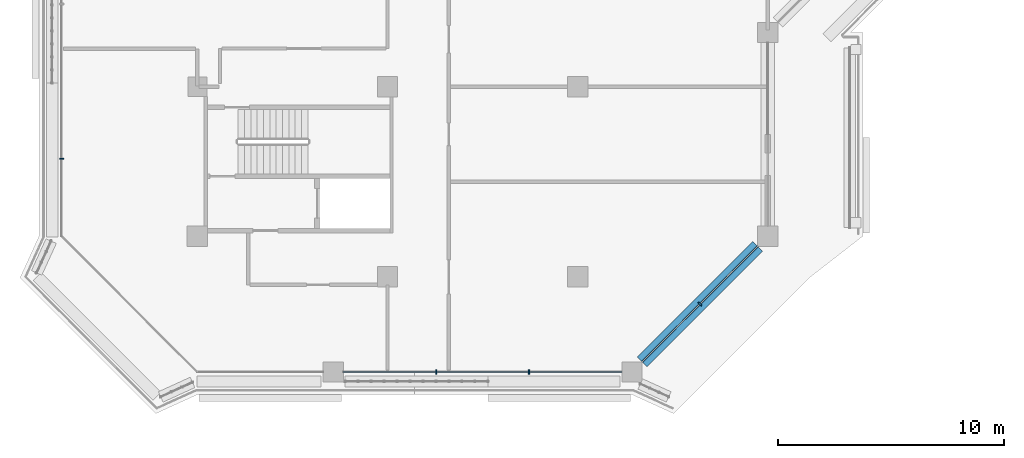
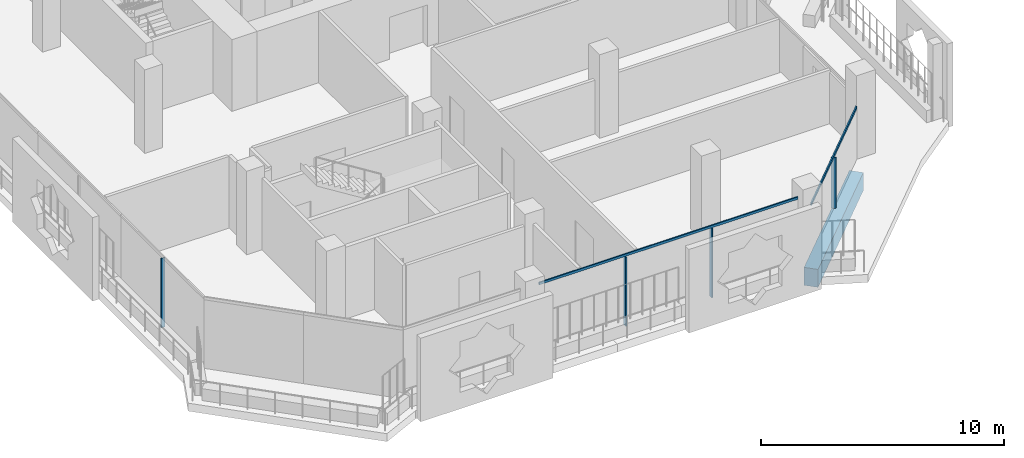
# One storey, part 2 of 20: 6 members, 1 beam, 3 elements without a shape of their own.
"""IFC4 building model written with IfcOpenShell, lengths in metres."""

import ifcopenshell
import ifcopenshell.guid

model = None  # the IFC model being written
_history = None  # IfcOwnerHistory: only IFC2X3 demands one
_inside = {}  # id of a spatial element -> (the spatial element, [elements in it])
_under = {}  # id of a project, library or spatial element -> (it, [spatial elements below it])
_declared = {}  # id of a project -> (the project, [libraries it declares])
_typed = {}  # id of a type object -> (the type object, [elements of that type])
_made_of = {}  # id of a material, layer set ... -> (it, [elements and type objects made of it])


def new_model(schema):
    """Start an empty IFC model of exactly this schema.

    Asked for "IFC4X3", IfcOpenShell would pick the latest addendum, in which some entities
    have other attributes; the version numbers below select the first issue.
    IFC2X3 requires an IfcOwnerHistory on every rooted entity: one is made here for all.
    """
    global model, _history
    if schema == "IFC4X3":
        model = ifcopenshell.file(schema_version=(4, 3, 0, 0))
    else:
        model = ifcopenshell.file(schema=schema)
    _inside.clear()
    _under.clear()
    _declared.clear()
    _typed.clear()
    _made_of.clear()
    _history = None
    if model.schema == "IFC2X3":
        org = make("IfcOrganization", Name="unknown")
        user = make(
            "IfcPersonAndOrganization",
            ThePerson=make("IfcPerson", FamilyName="unknown"),
            TheOrganization=org,
        )
        app = make(
            "IfcApplication",
            ApplicationDeveloper=org,
            Version="unknown",
            ApplicationFullName="unknown",
            ApplicationIdentifier="unknown",
        )
        _history = make(
            "IfcOwnerHistory",
            OwningUser=user,
            OwningApplication=app,
            ChangeAction="ADDED",
            CreationDate=0,
        )
    return model


def make(cls, **values):
    """One entity of the class cls with the attributes given. An attribute that is None is left unset."""
    return model.create_entity(
        cls, **{name: value for name, value in values.items() if value is not None}
    )


def rooted(cls, **values):
    """An entity with a GlobalId (a new one), such as an element, a storey or a relation."""
    return make(cls, GlobalId=ifcopenshell.guid.new(), OwnerHistory=_history, **values)


def si_unit(unit_type, name, prefix=None):
    """IfcSIUnit, for example si_unit("LENGTHUNIT", "METRE", prefix="MILLI")."""
    return make("IfcSIUnit", UnitType=unit_type, Prefix=prefix, Name=name)


def assignment(units):
    """IfcUnitAssignment: the units of a project."""
    return None if units is None else make("IfcUnitAssignment", Units=units)


def point(xyz):
    """IfcCartesianPoint."""
    return None if xyz is None else make("IfcCartesianPoint", Coordinates=xyz)


def direction(xyz):
    """IfcDirection."""
    return None if xyz is None else make("IfcDirection", DirectionRatios=xyz)


def frame(location, z_axis=None, x_axis=None):
    """IfcAxis2Placement3D, a coordinate frame: its origin and axes. An axis left out is left unset."""
    return make(
        "IfcAxis2Placement3D",
        Location=point(location),
        Axis=direction(z_axis),
        RefDirection=direction(x_axis),
    )


def frame_2d(location, x_axis=None):
    """IfcAxis2Placement2D, a coordinate frame in the plane: its origin and x axis."""
    return make(
        "IfcAxis2Placement2D", Location=point(location), RefDirection=direction(x_axis)
    )


def origin():
    """The frame at (0, 0, 0) with its axes left unset."""
    return frame((0.0, 0.0, 0.0))


def origin_2d():
    """The frame at (0, 0) in the plane with its x axis left unset."""
    return frame_2d((0.0, 0.0))


def place(relative_to, where):
    """IfcLocalPlacement: puts the frame where relative to a parent placement (None: the world)."""
    return make(
        "IfcLocalPlacement", PlacementRelTo=relative_to, RelativePlacement=where
    )


def context(
    kind, dimensions, precision=None, world=None, true_north=None, identifier=None
):
    """IfcGeometricRepresentationContext, for example the 3D "Model" context."""
    return make(
        "IfcGeometricRepresentationContext",
        ContextIdentifier=identifier,
        ContextType=kind,
        CoordinateSpaceDimension=dimensions,
        Precision=precision,
        WorldCoordinateSystem=world,
        TrueNorth=true_north,
    )


def subcontext(parent, identifier, kind, view, scale=None):
    """IfcGeometricRepresentationSubContext, for example "Body" below "Model"."""
    return make(
        "IfcGeometricRepresentationSubContext",
        ContextIdentifier=identifier,
        ContextType=kind,
        ParentContext=parent,
        TargetScale=scale,
        TargetView=view,
    )


def project(units=None, contexts=None):
    """IfcProject with its units and contexts."""
    return rooted(
        "IfcProject",
        Name="project",
        RepresentationContexts=contexts,
        UnitsInContext=assignment(units),
    )


def spatial(cls, under=None, at=None, **own):
    """A site, building, storey or space (cls), placed at a placement, below another one or the project."""
    s = rooted(cls, ObjectPlacement=at, **own)
    if under is not None:
        _under.setdefault(under.id(), (under, []))[1].append(s)
    return s


def profile(cls, at=None, kind="AREA", **sizes):
    """A parametric profile (cls). Its sizes go by their IFC names, for example OverallWidth=200.0."""
    return make(cls, ProfileType=kind, Position=at, **sizes)


def rectangle(**sizes):
    """IfcRectangleProfileDef."""
    return profile("IfcRectangleProfileDef", **sizes)


def extrude(swept, where, along, depth):
    """IfcExtrudedAreaSolid: the profile swept, set in the frame where, extruded along a direction by depth."""
    return make(
        "IfcExtrudedAreaSolid",
        SweptArea=swept,
        Position=where,
        ExtrudedDirection=direction(along),
        Depth=depth,
    )


def shape(context_of_items, identifier, shape_type, items):
    """IfcShapeRepresentation: the items that make up one representation, for example the "Body"."""
    return make(
        "IfcShapeRepresentation",
        ContextOfItems=context_of_items,
        RepresentationIdentifier=identifier,
        RepresentationType=shape_type,
        Items=items,
    )


def material(Name=None, Category=None):
    """IfcMaterial."""
    return make("IfcMaterial", Name=Name, Category=Category)


def layer(
    of_material, thickness, ventilated=None, Name=None, Category=None, Priority=None
):
    """IfcMaterialLayer: one layer of a wall or slab, of a material (None: an air gap)."""
    return make(
        "IfcMaterialLayer",
        Material=of_material,
        LayerThickness=thickness,
        IsVentilated=ventilated,
        Name=Name,
        Category=Category,
        Priority=Priority,
    )


def layer_set(layers, Name=None):
    """IfcMaterialLayerSet."""
    return make("IfcMaterialLayerSet", MaterialLayers=layers, LayerSetName=Name)


def material_profile(
    of_material, cross_section, Name=None, Category=None, Priority=None
):
    """IfcMaterialProfile: a cross section and its material."""
    return make(
        "IfcMaterialProfile",
        Name=Name,
        Material=of_material,
        Profile=cross_section,
        Priority=Priority,
        Category=Category,
    )


def profile_set(profiles, Name=None, composite=None):
    """IfcMaterialProfileSet."""
    return make(
        "IfcMaterialProfileSet",
        Name=Name,
        MaterialProfiles=profiles,
        CompositeProfile=composite,
    )


def made_of(thing, what):
    """Note that an element or type object is made of a material, layer set ...; save() writes the relation."""
    if what is not None:
        _made_of.setdefault(what.id(), (what, []))[1].append(thing)
    return thing


def type_object(cls, material=None, **own):
    """A type object (cls), such as IfcWallType, which elements share."""
    return made_of(rooted(cls, **own), material)


def element(
    cls,
    number,
    at=None,
    inside=None,
    cuts=None,
    type_object=None,
    material=None,
    context=None,
    identifier="Body",
    shape_type=None,
    held_by="IfcProductDefinitionShape",
    body=None,
    shapes=None,
    **own,
):
    """One element of the class cls, such as IfcWall. Its Tag is "e" and its number.

    at: its placement. inside: the storey or other place that contains it. cuts: it is an
    opening in that element (IfcRelVoidsElement). A single representation is given by context,
    identifier, shape_type and body (its items); several are given by shapes. held_by: the class
    of the entity that holds the representations. save() writes the other relations.
    """
    e = rooted(cls, Tag="e%d" % number, ObjectPlacement=at, **own)
    if body is not None:
        shapes = [shape(context, identifier, shape_type, body)]
    if shapes is not None:
        e.Representation = make(held_by, Representations=shapes)
    if inside is not None:
        _inside.setdefault(inside.id(), (inside, []))[1].append(e)
    if cuts is not None:
        rooted(
            "IfcRelVoidsElement", RelatingBuildingElement=cuts, RelatedOpeningElement=e
        )
    if type_object is not None:
        _typed.setdefault(type_object.id(), (type_object, []))[1].append(e)
    return made_of(e, material)


def aggregate(whole, parts):
    """IfcRelAggregates: a whole, such as a stair, and the parts it consists of."""
    return rooted("IfcRelAggregates", RelatingObject=whole, RelatedObjects=parts)


def save(model, path):
    """Write the relations noted so far, then the file.

    IfcRelAggregates (storeys below a building ...), IfcRelContainedInSpatialStructure (elements
    in a storey), IfcRelDefinesByType, IfcRelAssociatesMaterial and IfcRelDeclares: one each for
    every whole, place, type object, material and project.
    """
    for whole, parts in _under.values():
        aggregate(whole, parts)
    for where, things in _inside.values():
        rooted(
            "IfcRelContainedInSpatialStructure",
            RelatedElements=things,
            RelatingStructure=where,
        )
    for kind, things in _typed.values():
        rooted("IfcRelDefinesByType", RelatedObjects=things, RelatingType=kind)
    for what, things in _made_of.values():
        rooted("IfcRelAssociatesMaterial", RelatedObjects=things, RelatingMaterial=what)
    for by, libraries in _declared.values():
        rooted("IfcRelDeclares", RelatingContext=by, RelatedDefinitions=libraries)
    model.write(path)


model = new_model("IFC4")

# Units and contexts
model_context = context("Model", 3, precision=1e-05, world=origin(), true_north=direction((0.0, 1.0)))
body_context = subcontext(model_context, "Body", "Model", "MODEL_VIEW")
ifc_project = project(units=[si_unit("LENGTHUNIT", "METRE"), si_unit("AREAUNIT", "SQUARE_METRE"), si_unit("VOLUMEUNIT", "CUBIC_METRE"), si_unit("PLANEANGLEUNIT", "RADIAN"), si_unit("MASSUNIT", "GRAM", prefix="KILO")], contexts=[model_context])

# Site, building, storey
site_placement = place(None, origin())
site = spatial("IfcSite", under=ifc_project, at=site_placement, CompositionType="ELEMENT")
building_placement = place(site_placement, origin())
building = spatial("IfcBuilding", under=site, at=building_placement, Name="Kawkab Arch Medical Tower", CompositionType="ELEMENT")
storey_placement = place(building_placement, frame((0.0, 0.0, 239.0)))
storey = spatial("IfcBuildingStorey", under=building, at=storey_placement, Name="L55", CompositionType="ELEMENT", Elevation=239.0)

# Curtain wall, member
ifc_material_1 = material(Name="Bronze anodised aluminium curtain wall frame", Category="aluminium")
ifc_layer_1 = layer(ifc_material_1, 0.159912109375)
ifc_layer_set_1 = layer_set([ifc_layer_1], Name="Bronze anodised aluminium curtain wall frame")
curtain_wall_type_1 = type_object("IfcCurtainWallType", Name="CW1 ward curtain wall", PredefinedType="NOTDEFINED", material=ifc_layer_set_1)
placement = place(storey_placement, origin())
curtain_wall_1 = element("IfcCurtainWall", 1, at=placement, inside=storey, type_object=curtain_wall_type_1, Name="CW1 Ward curtain wall R01", PredefinedType="NOTDEFINED")
ifc_material_2 = material(Name="Bronze anodised aluminium curtain wall frame", Category="aluminium")
ifc_material_profile_1 = material_profile(ifc_material_2, rectangle(XDim=0.179931640625, YDim=0.06005859375, at=origin_2d()), Name="AL 60x180")
ifc_profile_set_1 = profile_set([ifc_material_profile_1], Name="Bronze anodised aluminium curtain wall frame")
member_type_1 = type_object("IfcMemberType", Name="CW1 mullion 60 x 180", PredefinedType="MULLION", material=ifc_profile_set_1)
member_1_placement = place(storey_placement, frame((-6.0, -36.780029296875, 0.0), z_axis=(0.0, 0.0, 1.0), x_axis=(1.0, 0.0, 0.0)))
member_1 = element("IfcMember", 2, at=member_1_placement, type_object=member_type_1, Name="CW1 mullion 5.1", PredefinedType="MULLION", context=body_context, shape_type="SweptSolid", body=[
    extrude(rectangle(XDim=0.179931640625, YDim=0.06005859375, at=origin_2d()), origin(), (0.0, 0.0, 1.0), 3.47998046875),
])
aggregate(curtain_wall_1, [member_1])

# Curtain wall, members
curtain_wall_2 = element("IfcCurtainWall", 3, at=placement, inside=storey, type_object=curtain_wall_type_1, Name="CW1 Ward curtain wall R03", PredefinedType="NOTDEFINED")
member_2_placement = place(storey_placement, frame((10.550048828125, -46.199951171875, 0.0), z_axis=(0.0, 0.0, 1.0), x_axis=(0.0, 1.0, 0.0)))
member_2 = element("IfcMember", 4, at=member_2_placement, type_object=member_type_1, Name="CW1 mullion 2.1", PredefinedType="MULLION", context=body_context, shape_type="SweptSolid", body=[
    extrude(rectangle(XDim=0.179931640625, YDim=0.06005859375, at=origin_2d()), origin(), (0.0, 0.0, 1.0), 3.47998046875),
])
member_3_placement = place(storey_placement, frame((14.64990234375, -46.199951171875, 0.0), z_axis=(0.0, 0.0, 1.0), x_axis=(0.0, 1.0, 0.0)))
member_3 = element("IfcMember", 5, at=member_3_placement, type_object=member_type_1, Name="CW1 mullion 2.2", PredefinedType="MULLION", context=body_context, shape_type="SweptSolid", body=[
    extrude(rectangle(XDim=0.179931640625, YDim=0.06005859375, at=origin_2d()), origin(), (0.0, 0.0, 1.0), 3.47998046875),
])
ifc_material_3 = material(Name="Bronze anodised aluminium curtain wall frame", Category="aluminium")
ifc_material_profile_2 = material_profile(ifc_material_3, rectangle(XDim=0.06005859375, YDim=0.1201171875, at=origin_2d()), Name="AL 60x120")
ifc_profile_set_2 = profile_set([ifc_material_profile_2], Name="Bronze anodised aluminium curtain wall frame")
member_type_2 = type_object("IfcMemberType", Name="CW1 transom 120 x 60", PredefinedType="USERDEFINED", material=ifc_profile_set_2)
member_4_placement = place(storey_placement, frame((6.449951171875, -46.199951171875, 3.5400390625), z_axis=(1.0, 0.0, 0.0), x_axis=(0.0, 1.0, 0.0)))
member_4 = element("IfcMember", 6, at=member_4_placement, type_object=member_type_2, Name="CW1 transom 2", ObjectType="TRANSOM", PredefinedType="USERDEFINED", context=body_context, shape_type="SweptSolid", body=[
    extrude(rectangle(XDim=0.06005859375, YDim=0.1201171875, at=origin_2d()), origin(), (0.0, 0.0, 1.0), 12.300048828125),
])
aggregate(curtain_wall_2, [member_4, member_2, member_3])

ifc_material_4 = material(Name="Bronze anodised aluminium curtain wall frame", Category="aluminium")
ifc_layer_2 = layer(ifc_material_4, 0.159912109375)
ifc_layer_set_2 = layer_set([ifc_layer_2], Name="Bronze anodised aluminium curtain wall frame")
curtain_wall_type_2 = type_object("IfcCurtainWallType", Name="CW2 chamfer curtain wall", PredefinedType="NOTDEFINED", material=ifc_layer_set_2)
curtain_wall_3 = element("IfcCurtainWall", 7, at=placement, inside=storey, type_object=curtain_wall_type_2, Name="CW2 Chamfer curtain wall R04", PredefinedType="NOTDEFINED")
ifc_material_5 = material(Name="Bronze anodised aluminium curtain wall frame", Category="aluminium")
ifc_material_profile_3 = material_profile(ifc_material_5, rectangle(XDim=0.199951171875, YDim=0.06005859375, at=origin_2d()), Name="AL 60x200")
ifc_profile_set_3 = profile_set([ifc_material_profile_3], Name="Bronze anodised aluminium curtain wall frame")
member_type_3 = type_object("IfcMemberType", Name="CW2 mullion 60 x 200", PredefinedType="MULLION", material=ifc_profile_set_3)
member_5_placement = place(storey_placement, frame((22.199951171875, -43.199951171875, 0.0), z_axis=(0.0, 0.0, 1.0), x_axis=(-0.707106781187, 0.707106781187, 0.0)))
member_5 = element("IfcMember", 8, at=member_5_placement, type_object=member_type_3, Name="CW2 mullion 1.1", PredefinedType="MULLION", context=body_context, shape_type="SweptSolid", body=[
    extrude(rectangle(XDim=0.199951171875, YDim=0.06005859375, at=origin_2d()), origin(), (0.0, 0.0, 1.0), 2.56005859375),
])
ifc_material_6 = material(Name="Bronze anodised aluminium curtain wall frame", Category="aluminium")
ifc_material_profile_4 = material_profile(ifc_material_6, rectangle(XDim=0.06005859375, YDim=0.139892578125, at=origin_2d()), Name="AL 60x140")
ifc_profile_set_4 = profile_set([ifc_material_profile_4], Name="Bronze anodised aluminium curtain wall frame")
member_type_4 = type_object("IfcMemberType", Name="CW2 transom 140 x 60", PredefinedType="USERDEFINED", material=ifc_profile_set_4)
member_6_placement = place(storey_placement, frame((19.64990234375, -45.75, 2.6298828125), z_axis=(0.707106781187, 0.707106781187, 0.0), x_axis=(-0.707106781187, 0.707106781187, 0.0)))
member_6 = element("IfcMember", 9, at=member_6_placement, type_object=member_type_4, Name="CW2 transom 1", ObjectType="TRANSOM", PredefinedType="USERDEFINED", context=body_context, shape_type="SweptSolid", body=[
    extrude(rectangle(XDim=0.06005859375, YDim=0.139892578125, at=origin_2d()), origin(), (0.0, 0.0, 1.0), 7.212646484375),
])
aggregate(curtain_wall_3, [member_6, member_5])

# Beam
ifc_material_7 = material(Name="Concrete C45/55", Category="concrete")
ifc_material_profile_5 = material_profile(ifc_material_7, rectangle(XDim=0.60009765625, YDim=0.89990234375, at=origin_2d()), Name="RC 600x900")
ifc_profile_set_5 = profile_set([ifc_material_profile_5], Name="Concrete C45/55")
beam_type = type_object("IfcBeamType", Name="RC 600x900 beam C45/55", PredefinedType="BEAM", material=ifc_profile_set_5)
beam_placement = place(storey_placement, frame((24.75, -40.64990234375, -1.050048828125), z_axis=(-0.707106781187, -0.707106781187, 0.0), x_axis=(0.707106781187, -0.707106781187, 0.0)))
element("IfcBeam", 10, at=beam_placement, inside=storey, type_object=beam_type, Name="Overhang edge beam L55-06", PredefinedType="BEAM", context=body_context, shape_type="SweptSolid", body=[
    extrude(rectangle(XDim=0.60009765625, YDim=0.89990234375, at=origin_2d()), origin(), (0.0, 0.0, 1.0), 7.212646484375),
])

save(model, "model.ifc")
